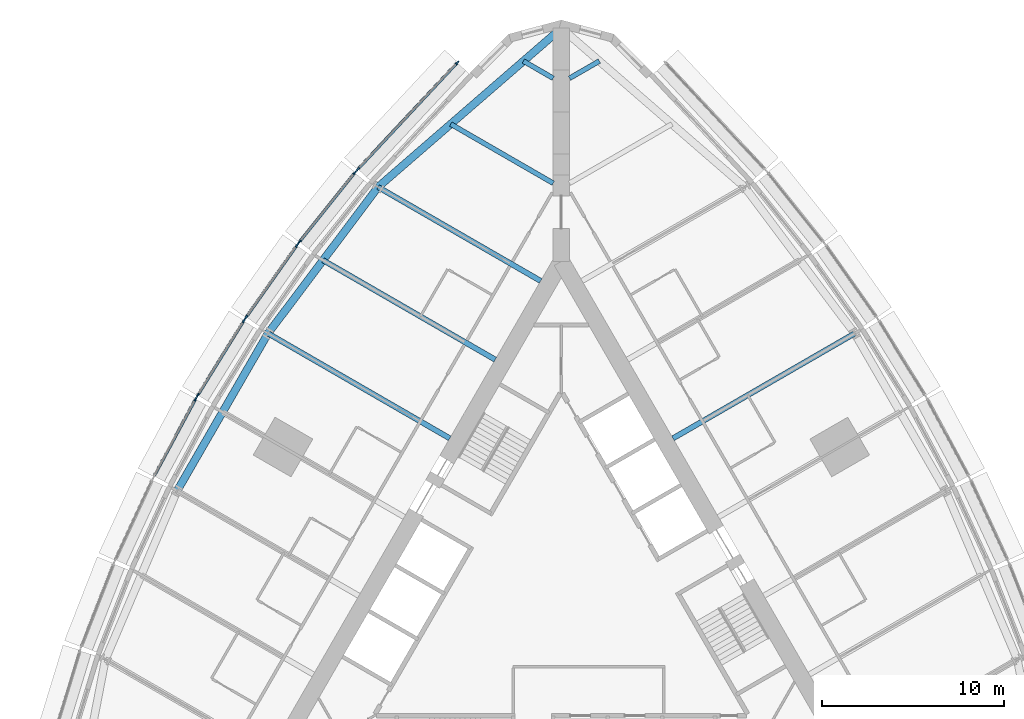
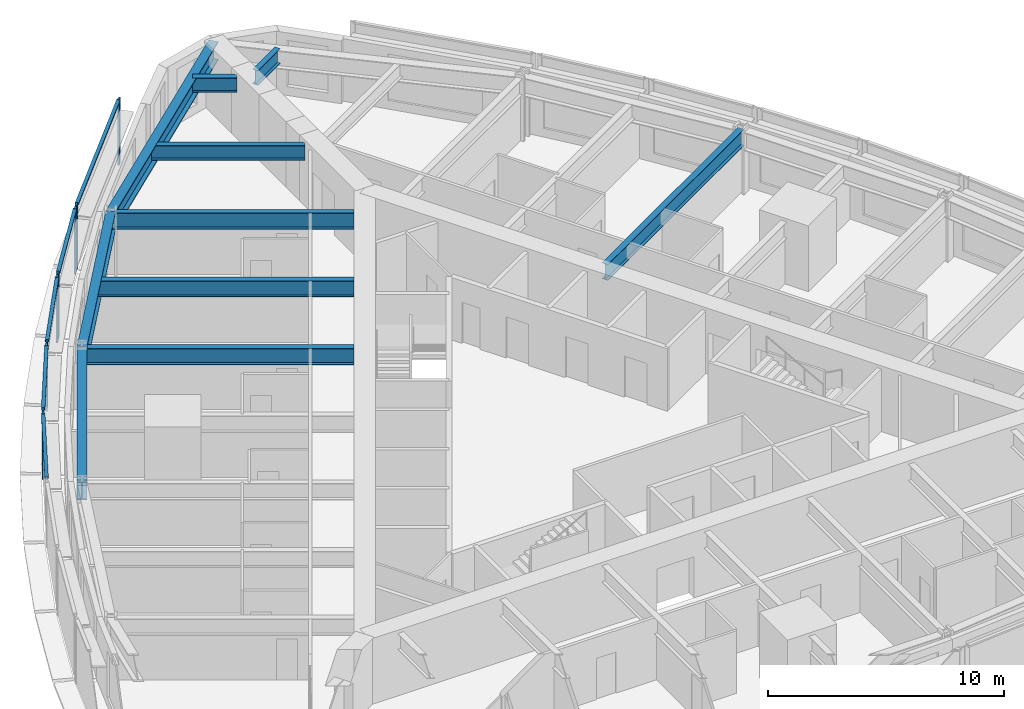
# One storey, part 4 of 14: 14 members, 10 beams, 5 elements without a shape of their own.
"""IFC4 building model written with IfcOpenShell, lengths in metres."""

from ifc_helpers import new_model, si_unit, direction, frame, origin, origin_2d, place, context, subcontext, project, spatial, rectangle, i_section, extrude, material, material_profile, profile_set, type_object, element, aggregate, save


model = new_model("IFC4")

# Units and contexts
model_context = context("Model", 3, precision=1e-05, world=origin(), true_north=direction((0.0, 1.0)))
body_context = subcontext(model_context, "Body", "Model", "MODEL_VIEW")
ifc_project = project(units=[si_unit("LENGTHUNIT", "METRE"), si_unit("AREAUNIT", "SQUARE_METRE"), si_unit("VOLUMEUNIT", "CUBIC_METRE"), si_unit("PLANEANGLEUNIT", "RADIAN"), si_unit("MASSUNIT", "GRAM", prefix="KILO")], contexts=[model_context])

# Site, building, storey
site_placement = place(None, origin())
site = spatial("IfcSite", under=ifc_project, at=site_placement, CompositionType="ELEMENT")
building_placement = place(site_placement, origin())
building = spatial("IfcBuilding", under=site, at=building_placement, Name="Trikona Tower", CompositionType="ELEMENT")
storey_placement = place(building_placement, frame((0.0, 0.0, 69.300048828125)))
storey = spatial("IfcBuildingStorey", under=building, at=storey_placement, Name="L17", CompositionType="ELEMENT", Elevation=69.300048828125)

# Curtain wall, members
ifc_material_1 = material(Name="Aluminium curtain wall system", Category="aluminium")
curtain_wall_type = type_object("IfcCurtainWallType", Name="Curtain wall DS1", PredefinedType="NOTDEFINED", material=ifc_material_1)
curtain_wall_1_placement = place(storey_placement, origin())
curtain_wall_1 = element("IfcCurtainWall", 1, at=curtain_wall_1_placement, inside=storey, type_object=curtain_wall_type, Name="Curtain wall DS1 L17", PredefinedType="NOTDEFINED")
ifc_material_2 = material(Name="Aluminium mullion, pale anodised", Category="aluminium")
ifc_material_profile_1 = material_profile(ifc_material_2, rectangle(XDim=0.080078125, YDim=0.219970703125, at=origin_2d()), Name="MUL-DS1")
ifc_profile_set_1 = profile_set([ifc_material_profile_1], Name="Aluminium mullion, pale anodised")
member_type_1 = type_object("IfcMemberType", Name="Mullion DS1 80x220", PredefinedType="MULLION", material=ifc_profile_set_1)
member_1_placement = place(storey_placement, frame((-5.72607421875, 29.98583984375, 0.0), z_axis=(0.0, 0.0, 1.0), x_axis=(0.731076639405, -0.682295351967, 0.0)))
member_1 = element("IfcMember", 2, at=member_1_placement, type_object=member_type_1, Name="CW-DS1 mullion 1", PredefinedType="MULLION", context=body_context, shape_type="SweptSolid", body=[
    extrude(rectangle(XDim=0.080078125, YDim=0.219970703125, at=origin_2d()), origin(), (0.0, 0.0, 1.0), 3.39990234375),
])
member_2_placement = place(storey_placement, frame((-11.192138671875, 24.129150390625, 0.0), z_axis=(0.0, 0.0, 1.0), x_axis=(0.731076639405, -0.682295351967, 0.0)))
member_2 = element("IfcMember", 3, at=member_2_placement, type_object=member_type_1, Name="CW-DS1 mullion 2", PredefinedType="MULLION", context=body_context, shape_type="SweptSolid", body=[
    extrude(rectangle(XDim=0.080078125, YDim=0.219970703125, at=origin_2d()), origin(), (0.0, 0.0, 1.0), 3.39990234375),
])

curtain_wall_2_placement = place(storey_placement, origin())
curtain_wall_2 = element("IfcCurtainWall", 4, at=curtain_wall_2_placement, inside=storey, type_object=curtain_wall_type, Name="Curtain wall DS1 L17", PredefinedType="NOTDEFINED")
member_3_placement = place(storey_placement, frame((-11.36767578125, 23.926025390625, 0.0), z_axis=(0.0, 0.0, 1.0), x_axis=(0.780937959679, -0.624608599951, 0.0)))
member_3 = element("IfcMember", 5, at=member_3_placement, type_object=member_type_1, Name="CW-DS1 mullion 1", PredefinedType="MULLION", context=body_context, shape_type="SweptSolid", body=[
    extrude(rectangle(XDim=0.080078125, YDim=0.219970703125, at=origin_2d()), origin(), (0.0, 0.0, 1.0), 3.39990234375),
])
member_4_placement = place(storey_placement, frame((-14.40185546875, 20.13232421875, 0.0), z_axis=(0.0, 0.0, 1.0), x_axis=(0.780937959679, -0.624608599951, 0.0)))
member_4 = element("IfcMember", 6, at=member_4_placement, type_object=member_type_1, Name="CW-DS1 mullion 2", PredefinedType="MULLION", context=body_context, shape_type="SweptSolid", body=[
    extrude(rectangle(XDim=0.080078125, YDim=0.219970703125, at=origin_2d()), origin(), (0.0, 0.0, 1.0), 3.39990234375),
])

curtain_wall_3_placement = place(storey_placement, origin())
curtain_wall_3 = element("IfcCurtainWall", 7, at=curtain_wall_3_placement, inside=storey, type_object=curtain_wall_type, Name="Curtain wall DS1 L17", PredefinedType="NOTDEFINED")
member_5_placement = place(storey_placement, frame((-14.554443359375, 19.929443359375, 0.0), z_axis=(0.0, 0.0, 1.0), x_axis=(0.816985393055, -0.576658362928, 0.0)))
member_5 = element("IfcMember", 8, at=member_5_placement, type_object=member_type_1, Name="CW-DS1 mullion 1", PredefinedType="MULLION", context=body_context, shape_type="SweptSolid", body=[
    extrude(rectangle(XDim=0.080078125, YDim=0.219970703125, at=origin_2d()), origin(), (0.0, 0.0, 1.0), 3.39990234375),
])
member_6_placement = place(storey_placement, frame((-17.33447265625, 15.990966796875, 0.0), z_axis=(0.0, 0.0, 1.0), x_axis=(0.816985393055, -0.576658362928, 0.0)))
member_6 = element("IfcMember", 9, at=member_6_placement, type_object=member_type_1, Name="CW-DS1 mullion 2", PredefinedType="MULLION", context=body_context, shape_type="SweptSolid", body=[
    extrude(rectangle(XDim=0.080078125, YDim=0.219970703125, at=origin_2d()), origin(), (0.0, 0.0, 1.0), 3.39990234375),
])

curtain_wall_4_placement = place(storey_placement, origin())
curtain_wall_4 = element("IfcCurtainWall", 10, at=curtain_wall_4_placement, inside=storey, type_object=curtain_wall_type, Name="Curtain wall DS1 L17", PredefinedType="NOTDEFINED")
member_7_placement = place(storey_placement, frame((-17.474853515625, 15.77880859375, 0.0), z_axis=(0.0, 0.0, 1.0), x_axis=(0.850410468941, -0.526119790842, 0.0)))
member_7 = element("IfcMember", 11, at=member_7_placement, type_object=member_type_1, Name="CW-DS1 mullion 1", PredefinedType="MULLION", context=body_context, shape_type="SweptSolid", body=[
    extrude(rectangle(XDim=0.080078125, YDim=0.219970703125, at=origin_2d()), origin(), (0.0, 0.0, 1.0), 3.39990234375),
])
member_8_placement = place(storey_placement, frame((-20.00146484375, 11.69482421875, 0.0), z_axis=(0.0, 0.0, 1.0), x_axis=(0.850410468941, -0.526119790842, 0.0)))
member_8 = element("IfcMember", 12, at=member_8_placement, type_object=member_type_1, Name="CW-DS1 mullion 2", PredefinedType="MULLION", context=body_context, shape_type="SweptSolid", body=[
    extrude(rectangle(XDim=0.080078125, YDim=0.219970703125, at=origin_2d()), origin(), (0.0, 0.0, 1.0), 3.39990234375),
])

# Curtain wall, member
curtain_wall_5_placement = place(storey_placement, origin())
curtain_wall_5 = element("IfcCurtainWall", 13, at=curtain_wall_5_placement, inside=storey, type_object=curtain_wall_type, Name="Curtain wall DS1 L17", PredefinedType="NOTDEFINED")
member_9_placement = place(storey_placement, frame((-20.128662109375, 11.474365234375, 0.0), z_axis=(0.0, 0.0, 1.0), x_axis=(0.880843080975, -0.473408350896, 0.0)))
member_9 = element("IfcMember", 14, at=member_9_placement, type_object=member_type_1, Name="CW-DS1 mullion 1", PredefinedType="MULLION", context=body_context, shape_type="SweptSolid", body=[
    extrude(rectangle(XDim=0.080078125, YDim=0.219970703125, at=origin_2d()), origin(), (0.0, 0.0, 1.0), 3.39990234375),
])

# Beams
ifc_material_3 = material(Name="Steel ASTM A992 Grade 50", Category="steel")
ifc_material_profile_2 = material_profile(ifc_material_3, i_section(OverallWidth=0.2666015625, OverallDepth=0.76953125, WebThickness=0.015625, FlangeThickness=0.025390625, at=origin_2d()), Name="W30X132")
ifc_profile_set_2 = profile_set([ifc_material_profile_2], Name="Steel ASTM A992 Grade 50")
beam_type_1 = type_object("IfcBeamType", Name="Steel beam W30x132 (wedge)", PredefinedType="BEAM", material=ifc_profile_set_2)
for number, where, z_axis, x_axis, name in (
    (15, (0.449951171875, 29.127197265625, 2.85009765625), (0.866009237431, 0.5000279999, 0.0), (-0.5000279999, 0.866009237431, 0.0), "Floor beam L18 F2 u25"),
    (16, (-0.449951171875, 29.127197265625, 2.85009765625), (-0.866009237431, 0.5000279999, 0.0), (-0.5000279999, -0.866009237431, 0.0), "Floor beam L18 F3 u-25"),
):
    element("IfcBeam", number, at=place(storey_placement, frame(where, z_axis=z_axis, x_axis=x_axis)), inside=storey, type_object=beam_type_1, Name=name, PredefinedType="BEAM", context=body_context, shape_type="SweptSolid", body=[
        extrude(i_section(OverallWidth=0.2666015625, OverallDepth=0.76953125, WebThickness=0.015625, FlangeThickness=0.025390625, at=origin_2d()), origin(), (0.0, 0.0, 1.0), 1.890625),
    ])
beam_1_placement = place(storey_placement, frame((-0.449951171875, 23.353759765625, 2.85009765625), z_axis=(-0.866022504693, 0.50000502134, 0.0), x_axis=(-0.50000502134, -0.866022504693, 0.0)))
element("IfcBeam", 17, at=beam_1_placement, inside=storey, type_object=beam_type_1, Name="Floor beam L18 F3 u-20", PredefinedType="BEAM", context=body_context, shape_type="SweptSolid", body=[
    extrude(i_section(OverallWidth=0.2666015625, OverallDepth=0.76953125, WebThickness=0.015625, FlangeThickness=0.025390625, at=origin_2d()), origin(), (0.0, 0.0, 1.0), 6.5068359375),
])
ifc_material_4 = material(Name="Steel ASTM A992 Grade 50", Category="steel")
ifc_material_profile_3 = material_profile(ifc_material_4, i_section(OverallWidth=0.2919921875, OverallDepth=0.845703125, WebThickness=0.015380859375, FlangeThickness=0.0244140625, at=origin_2d()), Name="W33X141")
ifc_profile_set_3 = profile_set([ifc_material_profile_3], Name="Steel ASTM A992 Grade 50")
beam_type_2 = type_object("IfcBeamType", Name="Steel beam W33x141 (radial typ)", PredefinedType="BEAM", material=ifc_profile_set_3)
beam_2_placement = place(storey_placement, frame((6.1396484375, 9.318359375, 2.81201171875), z_axis=(0.866029923217, 0.499992172032, 0.0), x_axis=(-0.499992172032, 0.866029923217, 0.0)))
element("IfcBeam", 18, at=beam_2_placement, inside=storey, type_object=beam_type_2, Name="Floor beam L18 F2 u5", PredefinedType="BEAM", context=body_context, shape_type="SweptSolid", body=[
    extrude(i_section(OverallWidth=0.2919921875, OverallDepth=0.845703125, WebThickness=0.015380859375, FlangeThickness=0.0244140625, at=origin_2d()), origin(), (0.0, 0.0, 1.0), 11.544189453125),
])
beam_3_placement = place(storey_placement, frame((-1.1396484375, 17.978515625, 2.81201171875), z_axis=(-0.866030471684, 0.499991222037, 0.0), x_axis=(-0.499991222037, -0.866030471684, 0.0)))
element("IfcBeam", 19, at=beam_3_placement, inside=storey, type_object=beam_type_2, Name="Floor beam L18 F3 u-15", PredefinedType="BEAM", context=body_context, shape_type="SweptSolid", body=[
    extrude(i_section(OverallWidth=0.2919921875, OverallDepth=0.845703125, WebThickness=0.015380859375, FlangeThickness=0.0244140625, at=origin_2d()), origin(), (0.0, 0.0, 1.0), 10.326904296875),
])
beam_4_placement = place(storey_placement, frame((-3.6396484375, 13.6484375, 2.81201171875), z_axis=(-0.866025348605, 0.500000095573, 0.0), x_axis=(-0.500000095573, -0.866025348605, 0.0)))
element("IfcBeam", 20, at=beam_4_placement, inside=storey, type_object=beam_type_2, Name="Floor beam L18 F3 u-10", PredefinedType="BEAM", context=body_context, shape_type="SweptSolid", body=[
    extrude(i_section(OverallWidth=0.2919921875, OverallDepth=0.845703125, WebThickness=0.015380859375, FlangeThickness=0.0244140625, at=origin_2d()), origin(), (0.0, 0.0, 1.0), 10.935546875),
])
beam_5_placement = place(storey_placement, frame((-6.1396484375, 9.318359375, 2.81201171875), z_axis=(-0.866029923217, 0.499992172032, 0.0), x_axis=(-0.499992172032, -0.866029923217, 0.0)))
element("IfcBeam", 21, at=beam_5_placement, inside=storey, type_object=beam_type_2, Name="Floor beam L18 F3 u-5", PredefinedType="BEAM", context=body_context, shape_type="SweptSolid", body=[
    extrude(i_section(OverallWidth=0.2919921875, OverallDepth=0.845703125, WebThickness=0.015380859375, FlangeThickness=0.0244140625, at=origin_2d()), origin(), (0.0, 0.0, 1.0), 11.544189453125),
])
ifc_material_5 = material(Name="Steel ASTM A992 Grade 50", Category="steel")
ifc_material_profile_4 = material_profile(ifc_material_5, i_section(OverallWidth=0.424072265625, OverallDepth=0.947509765625, WebThickness=0.02392578125, FlangeThickness=0.042724609375, at=origin_2d()), Name="W36X302")
ifc_profile_set_4 = profile_set([ifc_material_profile_4], Name="Steel ASTM A992 Grade 50")
beam_type_3 = type_object("IfcBeamType", Name="Steel beam W36x302 (spandrel)", PredefinedType="SPANDREL", material=ifc_profile_set_4)
beam_6_placement = place(storey_placement, frame((0.0, 31.881591796875, 2.76123046875), z_axis=(-0.755646822726, -0.654979296851, 0.0), x_axis=(0.654979296851, -0.755646822726, 0.0)))
element("IfcBeam", 22, at=beam_6_placement, inside=storey, type_object=beam_type_3, Name="Spandrel beam L18 F3-1", PredefinedType="SPANDREL", context=body_context, shape_type="SweptSolid", body=[
    extrude(i_section(OverallWidth=0.424072265625, OverallDepth=0.947509765625, WebThickness=0.02392578125, FlangeThickness=0.042724609375, at=origin_2d()), origin(), (0.0, 0.0, 1.0), 13.343505859375),
])
beam_7_placement = place(storey_placement, frame((-10.0830078125, 23.141845703125, 2.76123046875), z_axis=(-0.600988344191, -0.799257787042, 0.0), x_axis=(0.799257787042, -0.600988344191, 0.0)))
element("IfcBeam", 23, at=beam_7_placement, inside=storey, type_object=beam_type_3, Name="Spandrel beam L18 F3-2", PredefinedType="SPANDREL", context=body_context, shape_type="SweptSolid", body=[
    extrude(i_section(OverallWidth=0.424072265625, OverallDepth=0.947509765625, WebThickness=0.02392578125, FlangeThickness=0.042724609375, at=origin_2d()), origin(), (0.0, 0.0, 1.0), 10.07373046875),
])
beam_8_placement = place(storey_placement, frame((-16.13720703125, 15.09033203125, 2.76123046875), z_axis=(-0.500004234368, -0.866022959057, 0.0), x_axis=(0.866022959057, -0.500004234368, 0.0)))
element("IfcBeam", 24, at=beam_8_placement, inside=storey, type_object=beam_type_3, Name="Spandrel beam L18 F3-3", PredefinedType="SPANDREL", context=body_context, shape_type="SweptSolid", body=[
    extrude(i_section(OverallWidth=0.424072265625, OverallDepth=0.947509765625, WebThickness=0.02392578125, FlangeThickness=0.042724609375, at=origin_2d()), origin(), (0.0, 0.0, 1.0), 10.0),
])

# Member
ifc_material_6 = material(Name="Aluminium transom, pale anodised", Category="aluminium")
ifc_material_profile_5 = material_profile(ifc_material_6, rectangle(XDim=0.159912109375, YDim=0.080078125, at=origin_2d()), Name="TRN-DS1")
ifc_profile_set_5 = profile_set([ifc_material_profile_5], Name="Aluminium transom, pale anodised")
member_type_2 = type_object("IfcMemberType", Name="Transom DS1 80x160", PredefinedType="USERDEFINED", material=ifc_profile_set_5)
member_10_placement = place(storey_placement, frame((-5.75341796875, 29.95654296875, 3.35986328125), z_axis=(-0.682290830921, -0.731080858758, 0.0), x_axis=(0.731080858758, -0.682290830921, 0.0)))
member_10 = element("IfcMember", 25, at=member_10_placement, type_object=member_type_2, Name="CW-DS1 transom 1.1", ObjectType="TRANSOM", PredefinedType="USERDEFINED", context=body_context, shape_type="SweptSolid", body=[
    extrude(rectangle(XDim=0.159912109375, YDim=0.080078125, at=origin_2d()), origin(), (0.0, 0.0, 1.0), 7.93115234375),
])

aggregate(curtain_wall_1, [member_1, member_2, member_10])

member_11_placement = place(storey_placement, frame((-11.392822265625, 23.894775390625, 3.35986328125), z_axis=(-0.624589103832, -0.780953552636, 0.0), x_axis=(0.780953552636, -0.624589103832, 0.0)))
member_11 = element("IfcMember", 26, at=member_11_placement, type_object=member_type_2, Name="CW-DS1 transom 1.1", ObjectType="TRANSOM", PredefinedType="USERDEFINED", context=body_context, shape_type="SweptSolid", body=[
    extrude(rectangle(XDim=0.159912109375, YDim=0.080078125, at=origin_2d()), origin(), (0.0, 0.0, 1.0), 4.77783203125),
])

aggregate(curtain_wall_2, [member_3, member_4, member_11])

member_12_placement = place(storey_placement, frame((-14.57763671875, 19.896728515625, 3.35986328125), z_axis=(-0.57664478015, -0.816994980111, 0.0), x_axis=(0.816994980111, -0.57664478015, 0.0)))
member_12 = element("IfcMember", 27, at=member_12_placement, type_object=member_type_2, Name="CW-DS1 transom 1.1", ObjectType="TRANSOM", PredefinedType="USERDEFINED", context=body_context, shape_type="SweptSolid", body=[
    extrude(rectangle(XDim=0.159912109375, YDim=0.080078125, at=origin_2d()), origin(), (0.0, 0.0, 1.0), 4.740478515625),
])

aggregate(curtain_wall_3, [member_5, member_6, member_12])

member_13_placement = place(storey_placement, frame((-17.495849609375, 15.744873046875, 3.35986328125), z_axis=(-0.526080502257, -0.850434774186, 0.0), x_axis=(0.850434774186, -0.526080502257, 0.0)))
member_13 = element("IfcMember", 28, at=member_13_placement, type_object=member_type_2, Name="CW-DS1 transom 1.1", ObjectType="TRANSOM", PredefinedType="USERDEFINED", context=body_context, shape_type="SweptSolid", body=[
    extrude(rectangle(XDim=0.159912109375, YDim=0.080078125, at=origin_2d()), origin(), (0.0, 0.0, 1.0), 4.722412109375),
])

aggregate(curtain_wall_4, [member_7, member_8, member_13])

member_14_placement = place(storey_placement, frame((-20.147705078125, 11.43896484375, 3.35986328125), z_axis=(-0.473427569755, -0.880832751546, 0.0), x_axis=(0.880832751546, -0.473427569755, 0.0)))
member_14 = element("IfcMember", 29, at=member_14_placement, type_object=member_type_2, Name="CW-DS1 transom 1.1", ObjectType="TRANSOM", PredefinedType="USERDEFINED", context=body_context, shape_type="SweptSolid", body=[
    extrude(rectangle(XDim=0.159912109375, YDim=0.080078125, at=origin_2d()), origin(), (0.0, 0.0, 1.0), 4.72216796875),
])

aggregate(curtain_wall_5, [member_9, member_14])

save(model, "model.ifc")
